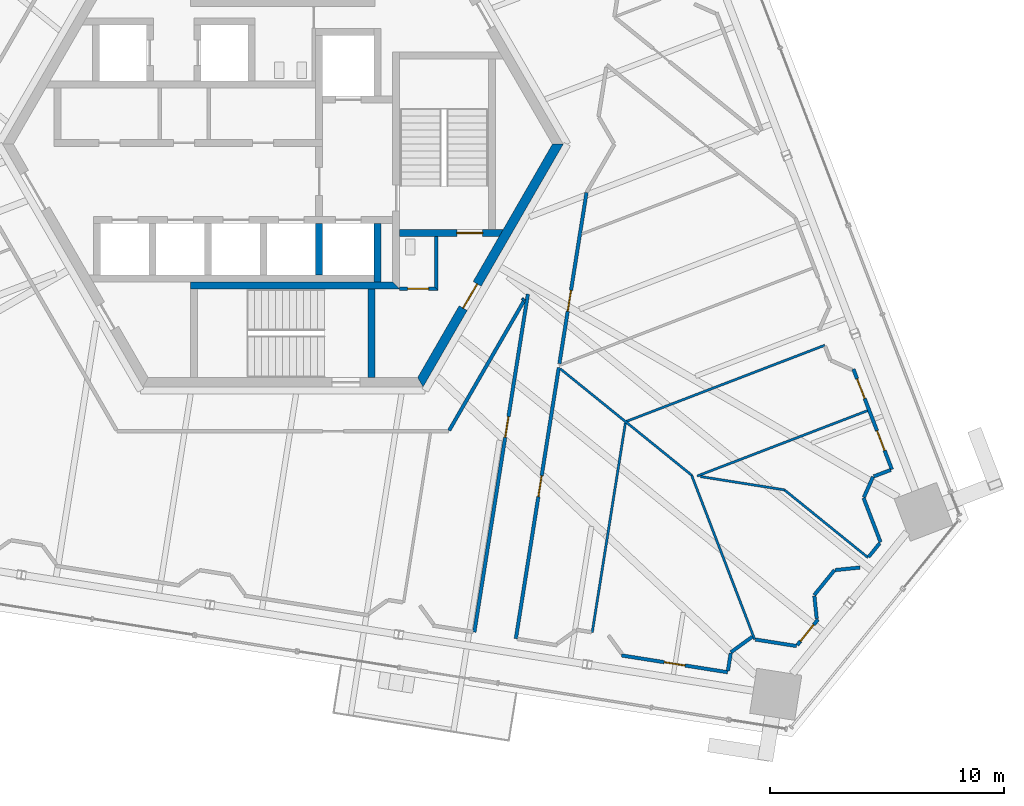
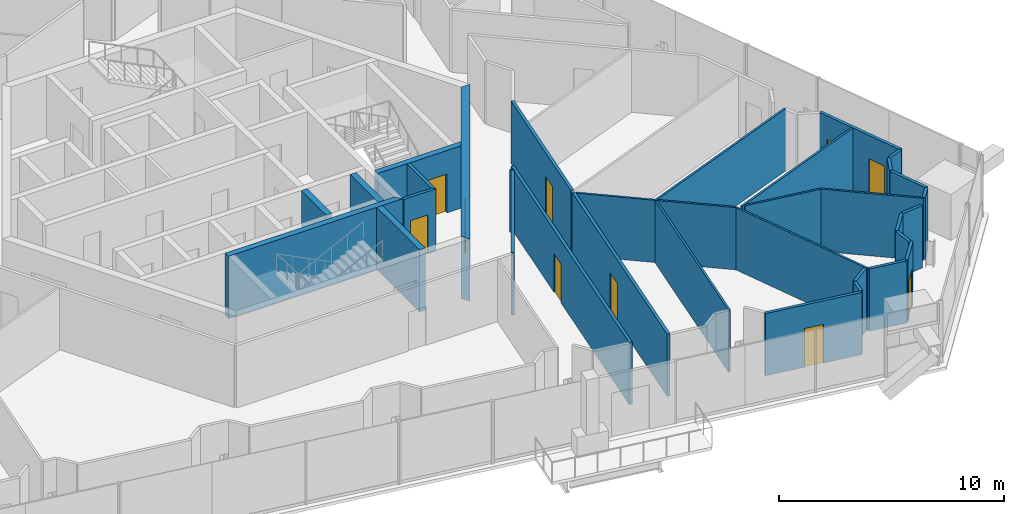
# One storey, part 15 of 23: 33 walls, 10 doors, 10 openings.
"""IFC4 building model written with IfcOpenShell, lengths in metres."""

from ifc_helpers import new_model, si_unit, direction, frame, frame_2d, origin, place, context, subcontext, project, spatial, polyline, rectangle, outline, extrude, source, transform, mapped, material, layer, layer_set, type_object, element, fill, save


model = new_model("IFC4")

# Units and contexts
model_context = context("Model", 3, precision=1e-05, world=origin(), true_north=direction((0.0, 1.0)))
body_context = subcontext(model_context, "Body", "Model", "MODEL_VIEW")
ifc_project = project(units=[si_unit("LENGTHUNIT", "METRE"), si_unit("AREAUNIT", "SQUARE_METRE"), si_unit("VOLUMEUNIT", "CUBIC_METRE"), si_unit("PLANEANGLEUNIT", "RADIAN"), si_unit("MASSUNIT", "GRAM", prefix="KILO")], contexts=[model_context])

# Site, building, storey
site_placement = place(None, origin())
site = spatial("IfcSite", under=ifc_project, at=site_placement, CompositionType="ELEMENT")
building_placement = place(site_placement, origin())
building = spatial("IfcBuilding", under=site, at=building_placement, Name="Triune Harvest Tower", CompositionType="ELEMENT")
storey_placement = place(building_placement, frame((0.0, 0.0, 171.300048828125)))
storey = spatial("IfcBuildingStorey", under=building, at=storey_placement, Name="L44", CompositionType="ELEMENT", Elevation=171.300048828125)

# Wall, opening, door
ifc_material_1 = material(Name="Concrete masonry unit", Category="masonry")
ifc_layer_1 = layer(ifc_material_1, 0.14990234375)
ifc_layer_set_1 = layer_set([ifc_layer_1], Name="Concrete masonry unit")
wall_type_1 = type_object("IfcWallType", Name="Block partition 150 unrated", PredefinedType="PARTITIONING", material=ifc_layer_set_1)
wall_1_placement = place(storey_placement, frame((5.0, -6.18994140625, 0.0), z_axis=(0.0, 0.0, 1.0), x_axis=(1.0, 0.0, 0.0)))
wall_1 = element("IfcWall", 1, at=wall_1_placement, inside=storey, type_object=wall_type_1, Name="Wc acc south wall", PredefinedType="PARTITIONING", context=body_context, shape_type="SweptSolid", body=[
    extrude(outline(polyline([(0.0, -0.074951171875), (1.64990234375, -0.074951171875), (1.5, 0.074951171875), (0.0, 0.074951171875), (0.0, -0.074951171875)])), origin(), (0.0, 0.0, 1.0), 3.375),
])
opening_1_placement = place(wall_1_placement, frame((0.33740234375, 0.0, 0.0)))
opening_1 = element("IfcOpeningElement", 2, at=opening_1_placement, cuts=wall_1, Name="Opening CD-WA", PredefinedType="OPENING", context=body_context, shape_type="SweptSolid", body=[
    extrude(rectangle(XDim=0.89990234375, YDim=2.10009765625, at=frame_2d((0.449951171875, 1.050048828125))), frame((0.0, 0.0849609375, 0.0), z_axis=(0.0, -1.0, 0.0), x_axis=(1.0, 0.0, 0.0)), (0.0, 0.0, 1.0), 0.169921875),
])
ifc_material_2 = material(Name="Timber C24", Category="wood")
door_type_1 = type_object("IfcDoorType", Name="WC door 900", OperationType="SINGLE_SWING_LEFT", PredefinedType="DOOR", material=ifc_material_2)
door_1_placement = place(opening_1_placement, origin())
door_1 = element("IfcDoor", 3, at=door_1_placement, inside=storey, type_object=door_type_1, Name="Door CD-WA", OperationType="SINGLE_SWING_LEFT", OverallHeight=2.10009765625, OverallWidth=0.89990234375, PredefinedType="DOOR", context=body_context, shape_type="SweptSolid", body=[
    extrude(rectangle(XDim=0.89990234375, YDim=2.10009765625, at=frame_2d((0.449951171875, 1.050048828125))), frame((0.0, 0.02490234375, 0.0), z_axis=(0.0, -1.0, 0.0), x_axis=(1.0, 0.0, 0.0)), (0.0, 0.0, 1.0), 0.050048828125),
])
fill(opening_1, door_1)

# Wall
wall_2_placement = place(storey_placement, frame((6.574951171875, -6.18994140625, 0.0), z_axis=(0.0, 0.0, 1.0), x_axis=(0.0, 1.0, 0.0)))
element("IfcWall", 4, at=wall_2_placement, inside=storey, type_object=wall_type_1, Name="Wc acc east wall", PredefinedType="PARTITIONING", context=body_context, shape_type="SweptSolid", body=[
    extrude(outline(polyline([(-0.074951171875, -0.074951171875), (2.239990234375, -0.074951171875), (2.239990234375, 0.074951171875), (0.074951171875, 0.074951171875), (-0.074951171875, -0.074951171875)])), origin(), (0.0, 0.0, 1.0), 3.375),
])

# Wall, opening, door
ifc_material_3 = material(Name="Concrete 70 MPa", Category="concrete")
ifc_layer_2 = layer(ifc_material_3, 0.300048828125)
ifc_layer_set_2 = layer_set([ifc_layer_2], Name="Concrete 70 MPa")
wall_type_2 = type_object("IfcWallType", Name="Core wall 300", PredefinedType="SHEAR", material=ifc_layer_set_2)
wall_3_placement = place(storey_placement, frame((5.0, -3.800048828125, 0.0), z_axis=(0.0, 0.0, 1.0), x_axis=(1.0, 0.0, 0.0)))
wall_3 = element("IfcWall", 5, at=wall_3_placement, inside=storey, type_object=wall_type_2, Name="Stair e south wall", PredefinedType="SHEAR", context=body_context, shape_type="SweptSolid", body=[
    extrude(outline(polyline([(0.0, -0.14990234375), (0.0, 0.14990234375), (4.43310546875, 0.14990234375), (4.260009765625, -0.14990234375), (0.0, -0.14990234375)])), origin(), (0.0, 0.0, 1.0), 3.375),
])
opening_2_placement = place(wall_3_placement, frame((2.449951171875, 0.0, 0.0)))
opening_2 = element("IfcOpeningElement", 6, at=opening_2_placement, cuts=wall_3, Name="Opening CD-S3D", PredefinedType="OPENING", context=body_context, shape_type="SweptSolid", body=[
    extrude(rectangle(XDim=1.10009765625, YDim=2.10009765625, at=frame_2d((0.550048828125, 1.050048828125))), frame((0.0, 0.16015625, 0.0), z_axis=(0.0, -1.0, 0.0), x_axis=(1.0, 0.0, 0.0)), (0.0, 0.0, 1.0), 0.320068359375),
])
ifc_material_4 = material(Name="Steel S235", Category="steel")
door_type_2 = type_object("IfcDoorType", Name="Stair door 1100 FD120", OperationType="SINGLE_SWING_LEFT", PredefinedType="DOOR", material=ifc_material_4)
door_2_placement = place(opening_2_placement, frame((1.10009765625, 0.0, 0.0), z_axis=(0.0, 0.0, 1.0), x_axis=(-1.0, 0.0, 0.0)))
door_2 = element("IfcDoor", 7, at=door_2_placement, inside=storey, type_object=door_type_2, Name="Door CD-S3D", OperationType="SINGLE_SWING_RIGHT", OverallHeight=2.10009765625, OverallWidth=1.10009765625, PredefinedType="DOOR", context=body_context, shape_type="SweptSolid", body=[
    extrude(rectangle(XDim=1.10009765625, YDim=2.10009765625, at=frame_2d((0.550048828125, 1.050048828125))), frame((0.0, 0.02490234375, 0.0), z_axis=(0.0, -1.0, 0.0), x_axis=(1.0, 0.0, 0.0)), (0.0, 0.0, 1.0), 0.050048828125),
])
fill(opening_2, door_2)

# Wall
wall_4_placement = place(storey_placement, frame((-3.949951171875, -6.0400390625, 0.0), z_axis=(0.0, 0.0, 1.0), x_axis=(1.0, 0.0, 0.0)))
element("IfcWall", 8, at=wall_4_placement, inside=storey, type_object=wall_type_2, Name="Stair s north wall", PredefinedType="SHEAR", context=body_context, shape_type="SweptSolid", body=[
    extrude(outline(polyline([(0.0, -0.14990234375), (8.949951171875, -0.14990234375), (8.64990234375, 0.14990234375), (0.0, 0.14990234375), (0.0, -0.14990234375)])), origin(), (0.0, 0.0, 1.0), 3.375),
])

# Wall, openings, doors
ifc_material_5 = material(Name="Gypsum board on steel studs", Category="steel")
ifc_layer_3 = layer(ifc_material_5, 0.14990234375)
ifc_layer_set_3 = layer_set([ifc_layer_3], Name="Gypsum board on steel studs")
wall_type_3 = type_object("IfcWallType", Name="Fire Partition 150 mm", PredefinedType="PARTITIONING", material=ifc_layer_set_3)
wall_5_placement = place(storey_placement, frame((24.423583984375, -9.62890625, 0.0), z_axis=(0.0, 0.0, 1.0), x_axis=(0.358349879182, -0.933587362859, 0.0)))
wall_5 = element("IfcWall", 9, at=wall_5_placement, inside=storey, type_object=wall_type_3, Name="Partition L44 023", PredefinedType="PARTITIONING", context=body_context, shape_type="SweptSolid", body=[
    extrude(rectangle(XDim=4.602783203125, YDim=0.14990234375, at=frame_2d((2.30126953125, 0.0))), origin(), (0.0, 0.0, 1.0), 3.375),
])
opening_3_placement = place(wall_5_placement, frame((0.44970703125, 0.0, 0.0)))
opening_3 = element("IfcOpeningElement", 10, at=opening_3_placement, cuts=wall_5, Name="Opening L44-001", PredefinedType="OPENING", context=body_context, shape_type="SweptSolid", body=[
    extrude(rectangle(XDim=0.89990234375, YDim=2.10009765625, at=frame_2d((0.449951171875, 1.050048828125))), frame((0.0, 0.0849609375, 0.0), z_axis=(0.0, -1.0, 0.0), x_axis=(1.0, 0.0, 0.0)), (0.0, 0.0, 1.0), 0.169921875),
])
opening_4_placement = place(wall_5_placement, frame((2.827880859375, 0.0, 0.0)))
opening_4 = element("IfcOpeningElement", 11, at=opening_4_placement, cuts=wall_5, Name="Opening L44-002", PredefinedType="OPENING", context=body_context, shape_type="SweptSolid", body=[
    extrude(rectangle(XDim=0.89990234375, YDim=2.10009765625, at=frame_2d((0.449951171875, 1.050048828125))), frame((0.0, 0.0849609375, 0.0), z_axis=(0.0, -1.0, 0.0), x_axis=(1.0, 0.0, 0.0)), (0.0, 0.0, 1.0), 0.169921875),
])
ifc_material_6 = material(Name="Timber and steel door set", Category="steel")
door_type_3 = type_object("IfcDoorType", Name="Single leaf door FD30 left hand 900 x 2100", OperationType="SINGLE_SWING_LEFT", PredefinedType="DOOR", material=ifc_material_6)
door_3_placement = place(opening_4_placement, origin())
door_3 = element("IfcDoor", 12, at=door_3_placement, inside=storey, type_object=door_type_3, Name="Door L44-002 Office 44.02", OperationType="SINGLE_SWING_LEFT", OverallHeight=2.10009765625, OverallWidth=0.89990234375, PredefinedType="DOOR", context=body_context, shape_type="SweptSolid", body=[
    extrude(rectangle(XDim=0.89990234375, YDim=2.10009765625, at=frame_2d((0.449951171875, 1.050048828125))), frame((0.0, 0.02490234375, 0.0), z_axis=(0.0, -1.0, 0.0), x_axis=(1.0, 0.0, 0.0)), (0.0, 0.0, 1.0), 0.050048828125),
])
fill(opening_4, door_3)
ifc_material_7 = material(Name="Timber and steel door set", Category="steel")
door_type_4 = type_object("IfcDoorType", Name="Single leaf door FD30 right hand 900 x 2100", OperationType="SINGLE_SWING_RIGHT", PredefinedType="DOOR", material=ifc_material_7)
door_4_placement = place(opening_3_placement, origin())
door_4 = element("IfcDoor", 13, at=door_4_placement, inside=storey, type_object=door_type_4, Name="Door L44-001 Office 44.01", OperationType="SINGLE_SWING_RIGHT", OverallHeight=2.10009765625, OverallWidth=0.89990234375, PredefinedType="DOOR", context=body_context, shape_type="SweptSolid", body=[
    extrude(rectangle(XDim=0.89990234375, YDim=2.10009765625, at=frame_2d((0.449951171875, 1.050048828125))), frame((0.0, 0.02490234375, 0.0), z_axis=(0.0, -1.0, 0.0), x_axis=(1.0, 0.0, 0.0)), (0.0, 0.0, 1.0), 0.050048828125),
])
fill(opening_3, door_4)

# Walls
wall_6_placement = place(storey_placement, frame((23.642578125, -18.235595703125, 0.0), z_axis=(0.0, 0.0, 1.0), x_axis=(0.994536563212, 0.104388813747, 0.0)))
element("IfcWall", 14, at=wall_6_placement, inside=storey, type_object=wall_type_3, Name="Partition L44 077", PredefinedType="PARTITIONING", context=body_context, shape_type="SweptSolid", body=[
    extrude(rectangle(XDim=1.073486328125, YDim=0.14990234375, at=frame_2d((0.53662109375, 0.0))), origin(), (0.0, 0.0, 1.0), 3.375),
])
wall_7_placement = place(storey_placement, frame((19.177734375, -21.755615234375, 0.0), z_axis=(0.0, 0.0, 1.0), x_axis=(0.808995006396, 0.587815514959, 0.0)))
element("IfcWall", 15, at=wall_7_placement, inside=storey, type_object=wall_type_3, Name="Partition L44 099", PredefinedType="PARTITIONING", context=body_context, shape_type="SweptSolid", body=[
    extrude(rectangle(XDim=1.141357421875, YDim=0.14990234375, at=frame_2d((0.57080078125, 0.0))), origin(), (0.0, 0.0, 1.0), 3.375),
])

# Wall, opening, door
wall_8_placement = place(storey_placement, frame((22.018798828125, -21.447021484375, 0.0), z_axis=(0.0, 0.0, 1.0), x_axis=(0.629321981855, 0.777144673245, 0.0)))
wall_8 = element("IfcWall", 16, at=wall_8_placement, inside=storey, type_object=wall_type_3, Name="Partition L44 106", PredefinedType="PARTITIONING", context=body_context, shape_type="SweptSolid", body=[
    extrude(rectangle(XDim=1.418701171875, YDim=0.14990234375, at=frame_2d((0.70947265625, 0.0))), origin(), (0.0, 0.0, 1.0), 3.375),
])
opening_5_placement = place(wall_8_placement, frame((0.218994140625, 0.0, 0.0)))
opening_5 = element("IfcOpeningElement", 17, at=opening_5_placement, cuts=wall_8, Name="Opening L44-029", PredefinedType="OPENING", context=body_context, shape_type="SweptSolid", body=[
    extrude(rectangle(XDim=0.89990234375, YDim=2.10009765625, at=frame_2d((0.449951171875, 1.050048828125))), frame((0.0, 0.0849609375, 0.0), z_axis=(0.0, -1.0, 0.0), x_axis=(1.0, 0.0, 0.0)), (0.0, 0.0, 1.0), 0.169921875),
])
door_5_placement = place(opening_5_placement, origin())
door_5 = element("IfcDoor", 18, at=door_5_placement, inside=storey, type_object=door_type_3, Name="Door L44-029 Open Office 44.29", OperationType="SINGLE_SWING_LEFT", OverallHeight=2.10009765625, OverallWidth=0.89990234375, PredefinedType="DOOR", context=body_context, shape_type="SweptSolid", body=[
    extrude(rectangle(XDim=0.89990234375, YDim=2.10009765625, at=frame_2d((0.449951171875, 1.050048828125))), frame((0.0, 0.02490234375, 0.0), z_axis=(0.0, -1.0, 0.0), x_axis=(1.0, 0.0, 0.0)), (0.0, 0.0, 1.0), 0.050048828125),
])
fill(opening_5, door_5)

# Walls
wall_9_placement = place(storey_placement, frame((25.072998046875, -17.67578125, 0.0), z_axis=(0.0, 0.0, 1.0), x_axis=(0.62929884709, 0.777163406917, 0.0)))
element("IfcWall", 19, at=wall_9_placement, inside=storey, type_object=wall_type_3, Name="Partition L44 107", PredefinedType="PARTITIONING", context=body_context, shape_type="SweptSolid", body=[
    extrude(rectangle(XDim=0.767822265625, YDim=0.14990234375, at=frame_2d((0.3837890625, 0.0))), origin(), (0.0, 0.0, 1.0), 3.375),
])
wall_10_placement = place(storey_placement, frame((7.116943359375, -12.2578125, 0.0), z_axis=(0.0, 0.0, 1.0), x_axis=(0.499975936691, 0.866039296297, 0.0)))
element("IfcWall", 20, at=wall_10_placement, inside=storey, type_object=wall_type_3, Name="Partition L44 123", PredefinedType="PARTITIONING", context=body_context, shape_type="SweptSolid", body=[
    extrude(rectangle(XDim=6.391845703125, YDim=0.14990234375, at=frame_2d((3.19580078125, 0.0))), origin(), (0.0, 0.0, 1.0), 3.375),
])

# Wall, opening, door
wall_11_placement = place(storey_placement, frame((9.973388671875, -21.17138671875, 0.0), z_axis=(0.0, 0.0, 1.0), x_axis=(0.156435031143, 0.987688250933, 0.0)))
wall_11 = element("IfcWall", 21, at=wall_11_placement, inside=storey, type_object=wall_type_3, Name="Partition L44 134", PredefinedType="PARTITIONING", context=body_context, shape_type="SweptSolid", body=[
    extrude(rectangle(XDim=11.7548828125, YDim=0.14990234375, at=frame_2d((5.87744140625, 0.0))), origin(), (0.0, 0.0, 1.0), 3.375),
])
opening_6_placement = place(wall_11_placement, frame((6.159423828125, 0.0, 0.0)))
opening_6 = element("IfcOpeningElement", 22, at=opening_6_placement, cuts=wall_11, Name="Opening L44-027", PredefinedType="OPENING", context=body_context, shape_type="SweptSolid", body=[
    extrude(rectangle(XDim=0.89990234375, YDim=2.10009765625, at=frame_2d((0.449951171875, 1.050048828125))), frame((0.0, 0.0849609375, 0.0), z_axis=(0.0, -1.0, 0.0), x_axis=(1.0, 0.0, 0.0)), (0.0, 0.0, 1.0), 0.169921875),
])
door_6_placement = place(opening_6_placement, origin())
door_6 = element("IfcDoor", 23, at=door_6_placement, inside=storey, type_object=door_type_3, Name="Door L44-027 Meeting Room 44.27", OperationType="SINGLE_SWING_LEFT", OverallHeight=2.10009765625, OverallWidth=0.89990234375, PredefinedType="DOOR", context=body_context, shape_type="SweptSolid", body=[
    extrude(rectangle(XDim=0.89990234375, YDim=2.10009765625, at=frame_2d((0.449951171875, 1.050048828125))), frame((0.0, 0.02490234375, 0.0), z_axis=(0.0, -1.0, 0.0), x_axis=(1.0, 0.0, 0.0)), (0.0, 0.0, 1.0), 0.050048828125),
])
fill(opening_6, door_6)

wall_12_placement = place(storey_placement, frame((11.83837890625, -9.395263671875, 0.0), z_axis=(0.0, 0.0, 1.0), x_axis=(0.15643928299, 0.987687577495, 0.0)))
wall_12 = element("IfcWall", 24, at=wall_12_placement, inside=storey, type_object=wall_type_3, Name="Partition L44 135", PredefinedType="PARTITIONING", context=body_context, shape_type="SweptSolid", body=[
    extrude(rectangle(XDim=7.416015625, YDim=0.14990234375, at=frame_2d((3.7080078125, 0.0))), origin(), (0.0, 0.0, 1.0), 3.375),
])
opening_7_placement = place(wall_12_placement, frame((2.2734375, 0.0, 0.0)))
opening_7 = element("IfcOpeningElement", 25, at=opening_7_placement, cuts=wall_12, Name="Opening L44-003", PredefinedType="OPENING", context=body_context, shape_type="SweptSolid", body=[
    extrude(rectangle(XDim=0.89990234375, YDim=2.10009765625, at=frame_2d((0.449951171875, 1.050048828125))), frame((0.0, 0.0849609375, 0.0), z_axis=(0.0, -1.0, 0.0), x_axis=(1.0, 0.0, 0.0)), (0.0, 0.0, 1.0), 0.169921875),
])
door_7_placement = place(opening_7_placement, origin())
door_7 = element("IfcDoor", 26, at=door_7_placement, inside=storey, type_object=door_type_4, Name="Door L44-003 Project Room 44.03", OperationType="SINGLE_SWING_RIGHT", OverallHeight=2.10009765625, OverallWidth=0.89990234375, PredefinedType="DOOR", context=body_context, shape_type="SweptSolid", body=[
    extrude(rectangle(XDim=0.89990234375, YDim=2.10009765625, at=frame_2d((0.449951171875, 1.050048828125))), frame((0.0, 0.02490234375, 0.0), z_axis=(0.0, -1.0, 0.0), x_axis=(1.0, 0.0, 0.0)), (0.0, 0.0, 1.0), 0.050048828125),
])
fill(opening_7, door_7)

wall_13_placement = place(storey_placement, frame((8.19580078125, -20.889892578125, 0.0), z_axis=(0.0, 0.0, 1.0), x_axis=(0.156426409619, 0.987689616415, 0.0)))
wall_13 = element("IfcWall", 27, at=wall_13_placement, inside=storey, type_object=wall_type_3, Name="Partition L44 138", PredefinedType="PARTITIONING", context=body_context, shape_type="SweptSolid", body=[
    extrude(rectangle(XDim=14.649169921875, YDim=0.14990234375, at=frame_2d((7.32470703125, 0.0))), origin(), (0.0, 0.0, 1.0), 3.375),
])
opening_8_placement = place(wall_13_placement, frame((8.4404296875, 0.0, 0.0)))
opening_8 = element("IfcOpeningElement", 28, at=opening_8_placement, cuts=wall_13, Name="Opening L44-026", PredefinedType="OPENING", context=body_context, shape_type="SweptSolid", body=[
    extrude(rectangle(XDim=0.89990234375, YDim=2.10009765625, at=frame_2d((0.449951171875, 1.050048828125))), frame((0.0, 0.0849609375, 0.0), z_axis=(0.0, -1.0, 0.0), x_axis=(1.0, 0.0, 0.0)), (0.0, 0.0, 1.0), 0.169921875),
])
door_8_placement = place(opening_8_placement, origin())
door_8 = element("IfcDoor", 29, at=door_8_placement, inside=storey, type_object=door_type_4, Name="Door L44-026 Office 44.26", OperationType="SINGLE_SWING_RIGHT", OverallHeight=2.10009765625, OverallWidth=0.89990234375, PredefinedType="DOOR", context=body_context, shape_type="SweptSolid", body=[
    extrude(rectangle(XDim=0.89990234375, YDim=2.10009765625, at=frame_2d((0.449951171875, 1.050048828125))), frame((0.0, 0.02490234375, 0.0), z_axis=(0.0, -1.0, 0.0), x_axis=(1.0, 0.0, 0.0)), (0.0, 0.0, 1.0), 0.050048828125),
])
fill(opening_8, door_8)

# Walls
wall_14_placement = place(storey_placement, frame((10.32958984375, -6.615234375, 0.0), z_axis=(0.0, 0.0, 1.0), x_axis=(-0.629270346667, -0.777186483931, 0.0)))
element("IfcWall", 30, at=wall_14_placement, inside=storey, type_object=wall_type_3, Name="Partition L44 145", PredefinedType="PARTITIONING", context=body_context, shape_type="SweptSolid", body=[
    extrude(rectangle(XDim=0.097412109375, YDim=0.14990234375, at=frame_2d((0.048828125, 0.0))), origin(), (0.0, 0.0, 1.0), 3.375),
])
ifc_material_8 = material(Name="Gypsum board on steel studs", Category="steel")
ifc_layer_4 = layer(ifc_material_8, 0.10009765625)
ifc_layer_set_4 = layer_set([ifc_layer_4], Name="Gypsum board on steel studs")
wall_type_4 = type_object("IfcWallType", Name="Partition 100 mm", PredefinedType="PARTITIONING", material=ifc_layer_set_4)
wall_15_placement = place(storey_placement, frame((17.49853515625, -14.170166015625, 0.0), z_axis=(0.0, 0.0, 1.0), x_axis=(0.358362200237, -0.93358263343, 0.0)))
element("IfcWall", 31, at=wall_15_placement, inside=storey, type_object=wall_type_4, Name="Partition L44 011", PredefinedType="PARTITIONING", context=body_context, shape_type="SweptSolid", body=[
    extrude(rectangle(XDim=7.53271484375, YDim=0.10009765625, at=frame_2d((3.766357421875, 0.0))), origin(), (0.0, 0.0, 1.0), 3.375),
])
wall_16_placement = place(storey_placement, frame((11.881591796875, -9.621337890625, 0.0), z_axis=(0.0, 0.0, 1.0), x_axis=(0.777137884009, -0.629330365736, 0.0)))
element("IfcWall", 32, at=wall_16_placement, inside=storey, type_object=wall_type_4, Name="Partition L44 038", PredefinedType="PARTITIONING", context=body_context, shape_type="SweptSolid", body=[
    extrude(rectangle(XDim=7.22802734375, YDim=0.10009765625, at=frame_2d((3.614013671875, 0.0))), origin(), (0.0, 0.0, 1.0), 3.375),
])
wall_17_placement = place(storey_placement, frame((17.8837890625, -14.23095703125, 0.0), z_axis=(0.0, 0.0, 1.0), x_axis=(0.987688692759, -0.156432241547, 0.0)))
element("IfcWall", 33, at=wall_17_placement, inside=storey, type_object=wall_type_4, Name="Partition L44 070", PredefinedType="PARTITIONING", context=body_context, shape_type="SweptSolid", body=[
    extrude(rectangle(XDim=3.630126953125, YDim=0.10009765625, at=frame_2d((1.81494140625, 0.0))), origin(), (0.0, 0.0, 1.0), 3.375),
])
wall_18_placement = place(storey_placement, frame((14.690673828125, -11.8740234375, 0.0), z_axis=(0.0, 0.0, 1.0), x_axis=(0.933580921869, 0.358366659055, 0.0)))
element("IfcWall", 34, at=wall_18_placement, inside=storey, type_object=wall_type_4, Name="Partition L44 085", PredefinedType="PARTITIONING", context=body_context, shape_type="SweptSolid", body=[
    extrude(rectangle(XDim=9.110595703125, YDim=0.10009765625, at=frame_2d((4.55517578125, 0.0))), origin(), (0.0, 0.0, 1.0), 3.375),
])
wall_19_placement = place(storey_placement, frame((13.24365234375, -20.8994140625, 0.0), z_axis=(0.0, 0.0, 1.0), x_axis=(0.156445867872, 0.987686534496, 0.0)))
element("IfcWall", 35, at=wall_19_placement, inside=storey, type_object=wall_type_4, Name="Partition L44 133", PredefinedType="PARTITIONING", context=body_context, shape_type="SweptSolid", body=[
    extrude(rectangle(XDim=9.130859375, YDim=0.10009765625, at=frame_2d((4.5654296875, 0.0))), origin(), (0.0, 0.0, 1.0), 3.375),
])

# Wall, opening, door
ifc_material_9 = material(Name="Concrete 70 MPa", Category="concrete")
ifc_layer_5 = layer(ifc_material_9, 0.39990234375)
ifc_layer_set_5 = layer_set([ifc_layer_5], Name="Concrete 70 MPa")
wall_type_5 = type_object("IfcWallType", Name="Core wall 400", PredefinedType="SHEAR", material=ifc_layer_set_5)
shared_shape_1 = source(origin(), body_context, "Body", "SweptSolid", [
    extrude(outline(polyline([(-0.115478515625, -0.199951171875), (11.884521484375, -0.199951171875), (11.653564453125, 0.199951171875), (0.115478515625, 0.199951171875), (-0.115478515625, -0.199951171875)])), origin(), (0.0, 0.0, 1.0), 3.375),
])
wall_20_placement = place(storey_placement, frame((5.884521484375, -10.1923828125, 0.0), z_axis=(0.0, 0.0, 1.0), x_axis=(0.499996592174, 0.866027371285, 0.0)))
wall_20 = element("IfcWall", 36, at=wall_20_placement, inside=storey, type_object=wall_type_5, Name="Hexagon 5 wall", PredefinedType="SHEAR", context=body_context, shape_type="MappedRepresentation", body=[
    mapped(shared_shape_1, transform((0.0, 0.0, 0.0), scale=1.0)),
])
opening_9_placement = place(wall_20_placement, frame((3.66455078125, 0.0, 0.0)))
opening_9 = element("IfcOpeningElement", 37, at=opening_9_placement, cuts=wall_20, Name="Opening CD-DP", PredefinedType="OPENING", context=body_context, shape_type="SweptSolid", body=[
    extrude(rectangle(XDim=1.199951171875, YDim=2.10009765625, at=frame_2d((0.60009765625, 1.050048828125))), frame((0.0, 0.2099609375, 0.0), z_axis=(0.0, -1.0, 0.0), x_axis=(1.0, 0.0, 0.0)), (0.0, 0.0, 1.0), 0.419921875),
])
ifc_material_10 = material(Name="Steel S235", Category="steel")
door_type_5 = type_object("IfcDoorType", Name="Stair door 1200 FD120", OperationType="SINGLE_SWING_LEFT", PredefinedType="DOOR", material=ifc_material_10)
door_9_placement = place(opening_9_placement, frame((1.199951171875, 0.0, 0.0), z_axis=(0.0, 0.0, 1.0), x_axis=(-1.0, 0.0, 0.0)))
door_9 = element("IfcDoor", 38, at=door_9_placement, inside=storey, type_object=door_type_5, Name="Door CD-DP", OperationType="SINGLE_SWING_RIGHT", OverallHeight=2.10009765625, OverallWidth=1.199951171875, PredefinedType="DOOR", context=body_context, shape_type="SweptSolid", body=[
    extrude(rectangle(XDim=1.199951171875, YDim=2.10009765625, at=frame_2d((0.60009765625, 1.050048828125))), frame((0.0, 0.02490234375, 0.0), z_axis=(0.0, -1.0, 0.0), x_axis=(1.0, 0.0, 0.0)), (0.0, 0.0, 1.0), 0.050048828125),
])
fill(opening_9, door_9)

# Walls
shared_shape_2 = source(origin(), body_context, "Body", "SweptSolid", [
    extrude(rectangle(XDim=2.5, YDim=0.300048828125, at=frame_2d((1.25, 0.0))), origin(), (0.0, 0.0, 1.0), 3.375),
])
wall_21_placement = place(storey_placement, frame((4.050048828125, -5.889892578125, 0.0), z_axis=(0.0, 0.0, 1.0), x_axis=(0.0, 1.0, 0.0)))
element("IfcWall", 39, at=wall_21_placement, inside=storey, type_object=wall_type_2, Name="Ff2 east wall", PredefinedType="SHEAR", context=body_context, shape_type="MappedRepresentation", body=[
    mapped(shared_shape_2, transform((0.0, 0.0, 0.0), scale=1.0)),
])
shared_shape_3 = source(origin(), body_context, "Body", "SweptSolid", [
    extrude(rectangle(XDim=2.2001953125, YDim=0.300048828125, at=frame_2d((1.10009765625, 0.0))), origin(), (0.0, 0.0, 1.0), 3.375),
])
wall_22_placement = place(storey_placement, frame((1.550048828125, -5.590087890625, 0.0), z_axis=(0.0, 0.0, 1.0), x_axis=(0.0, 1.0, 0.0)))
element("IfcWall", 40, at=wall_22_placement, inside=storey, type_object=wall_type_2, Name="Ff2 west wall", PredefinedType="SHEAR", context=body_context, shape_type="MappedRepresentation", body=[
    mapped(shared_shape_3, transform((0.0, 0.0, 0.0), scale=1.0)),
])
shared_shape_4 = source(origin(), body_context, "Body", "SweptSolid", [
    extrude(outline(polyline([(3.800048828125, -0.14990234375), (-0.00439453125, -0.14990234375), (-0.00439453125, 0.14990234375), (3.800048828125, 0.14990234375), (3.800048828125, -0.14990234375)])), origin(), (0.0, 0.0, 1.0), 3.375),
])
wall_23_placement = place(storey_placement, frame((3.800048828125, -9.989990234375, 0.0), z_axis=(0.0, 0.0, 1.0), x_axis=(0.0, 1.0, 0.0)))
element("IfcWall", 41, at=wall_23_placement, inside=storey, type_object=wall_type_2, Name="Stair s east wall", PredefinedType="SHEAR", context=body_context, shape_type="MappedRepresentation", body=[
    mapped(shared_shape_4, transform((0.0, 0.0, 0.0), scale=1.0)),
])
shared_shape_5 = source(origin(), body_context, "Body", "SweptSolid", [
    extrude(rectangle(XDim=0.9833984375, YDim=0.14990234375, at=frame_2d((0.49169921875, 0.0))), origin(), (0.0, 0.0, 1.0), 3.375),
])
wall_24_placement = place(storey_placement, frame((22.752685546875, -19.334716796875, 0.0), z_axis=(0.0, 0.0, 1.0), x_axis=(0.104516783509, -0.994523122891, 0.0)))
element("IfcWall", 42, at=wall_24_placement, inside=storey, type_object=wall_type_3, Name="Partition L44 006", PredefinedType="PARTITIONING", context=body_context, shape_type="MappedRepresentation", body=[
    mapped(shared_shape_5, transform((0.0, 0.0, 0.0), scale=1.0)),
])
shared_shape_6 = source(origin(), body_context, "Body", "SweptSolid", [
    extrude(rectangle(XDim=1.37158203125, YDim=0.14990234375, at=frame_2d((0.685791015625, 0.0))), origin(), (0.0, 0.0, 1.0), 3.375),
])
wall_25_placement = place(storey_placement, frame((22.74951171875, -19.3046875, 0.0), z_axis=(0.0, 0.0, 1.0), x_axis=(0.629372301641, 0.777103922218, 0.0)))
element("IfcWall", 43, at=wall_25_placement, inside=storey, type_object=wall_type_3, Name="Partition L44 108", PredefinedType="PARTITIONING", context=body_context, shape_type="MappedRepresentation", body=[
    mapped(shared_shape_6, transform((0.0, 0.0, 0.0), scale=1.0)),
])
shared_shape_7 = source(origin(), body_context, "Body", "SweptSolid", [
    extrude(rectangle(XDim=2.026611328125, YDim=0.14990234375, at=frame_2d((1.01318359375, 0.0))), origin(), (0.0, 0.0, 1.0), 3.375),
])
wall_26_placement = place(storey_placement, frame((24.861572265625, -15.1474609375, 0.0), z_axis=(0.0, 0.0, 1.0), x_axis=(0.358373590551, -0.933578261099, 0.0)))
element("IfcWall", 44, at=wall_26_placement, inside=storey, type_object=wall_type_3, Name="Partition L44 013", PredefinedType="PARTITIONING", context=body_context, shape_type="MappedRepresentation", body=[
    mapped(shared_shape_7, transform((0.0, 0.0, 0.0), scale=1.0)),
])

# Wall, opening, door
shared_shape_8 = source(origin(), body_context, "Body", "SweptSolid", [
    extrude(rectangle(XDim=4.603271484375, YDim=0.14990234375, at=frame_2d((2.3017578125, 0.0))), origin(), (0.0, 0.0, 1.0), 3.375),
])
wall_27_placement = place(storey_placement, frame((14.49658203125, -21.8876953125, 0.0), z_axis=(0.0, 0.0, 1.0), x_axis=(0.987685008761, -0.156455499965, 0.0)))
wall_27 = element("IfcWall", 45, at=wall_27_placement, inside=storey, type_object=wall_type_3, Name="Partition L44 061", PredefinedType="PARTITIONING", context=body_context, shape_type="MappedRepresentation", body=[
    mapped(shared_shape_8, transform((0.0, 0.0, 0.0), scale=1.0)),
])
opening_10_placement = place(wall_27_placement, frame((1.85302734375, 0.0, 0.0)))
opening_10 = element("IfcOpeningElement", 46, at=opening_10_placement, cuts=wall_27, Name="Opening L44-028", PredefinedType="OPENING", context=body_context, shape_type="SweptSolid", body=[
    extrude(rectangle(XDim=0.89990234375, YDim=2.10009765625, at=frame_2d((0.449951171875, 1.050048828125))), frame((0.0, 0.0849609375, 0.0), z_axis=(0.0, -1.0, 0.0), x_axis=(1.0, 0.0, 0.0)), (0.0, 0.0, 1.0), 0.169921875),
])
door_10_placement = place(opening_10_placement, origin())
door_10 = element("IfcDoor", 47, at=door_10_placement, inside=storey, type_object=door_type_4, Name="Door L44-028 Project Room 44.28", OperationType="SINGLE_SWING_RIGHT", OverallHeight=2.10009765625, OverallWidth=0.89990234375, PredefinedType="DOOR", context=body_context, shape_type="SweptSolid", body=[
    extrude(rectangle(XDim=0.89990234375, YDim=2.10009765625, at=frame_2d((0.449951171875, 1.050048828125))), frame((0.0, 0.02490234375, 0.0), z_axis=(0.0, -1.0, 0.0), x_axis=(1.0, 0.0, 0.0)), (0.0, 0.0, 1.0), 0.050048828125),
])
fill(opening_10, door_10)

# Walls
shared_shape_9 = source(origin(), body_context, "Body", "SweptSolid", [
    extrude(rectangle(XDim=0.782958984375, YDim=0.14990234375, at=frame_2d((0.3916015625, 0.0))), origin(), (0.0, 0.0, 1.0), 3.375),
])
wall_28_placement = place(storey_placement, frame((25.29541015625, -14.224609375, 0.0), z_axis=(0.0, 0.0, 1.0), x_axis=(0.933610565316, 0.358289425367, 0.0)))
element("IfcWall", 48, at=wall_28_placement, inside=storey, type_object=wall_type_3, Name="Partition L44 083", PredefinedType="PARTITIONING", context=body_context, shape_type="MappedRepresentation", body=[
    mapped(shared_shape_9, transform((0.0, 0.0, 0.0), scale=1.0)),
])
shared_shape_10 = source(origin(), body_context, "Body", "SweptSolid", [
    extrude(rectangle(XDim=4.61083984375, YDim=0.10009765625, at=frame_2d((2.305419921875, 0.0))), origin(), (0.0, 0.0, 1.0), 3.375),
])
wall_29_placement = place(storey_placement, frame((21.46923828125, -14.799072265625, 0.0), z_axis=(0.0, 0.0, 1.0), x_axis=(0.777151147358, -0.629313986942, 0.0)))
element("IfcWall", 49, at=wall_29_placement, inside=storey, type_object=wall_type_4, Name="Partition L44 039", PredefinedType="PARTITIONING", context=body_context, shape_type="MappedRepresentation", body=[
    mapped(shared_shape_10, transform((0.0, 0.0, 0.0), scale=1.0)),
])
shared_shape_11 = source(origin(), body_context, "Body", "SweptSolid", [
    extrude(rectangle(XDim=0.772705078125, YDim=0.14990234375, at=frame_2d((0.38623046875, 0.0))), origin(), (0.0, 0.0, 1.0), 3.375),
])
wall_30_placement = place(storey_placement, frame((19.05224609375, -22.548583984375, 0.0), z_axis=(0.0, 0.0, 1.0), x_axis=(0.156400633619, 0.987693698372, 0.0)))
element("IfcWall", 50, at=wall_30_placement, inside=storey, type_object=wall_type_3, Name="Partition L44 132", PredefinedType="PARTITIONING", context=body_context, shape_type="MappedRepresentation", body=[
    mapped(shared_shape_11, transform((0.0, 0.0, 0.0), scale=1.0)),
])
shared_shape_12 = source(origin(), body_context, "Body", "SweptSolid", [
    extrude(rectangle(XDim=0.96826171875, YDim=0.14990234375, at=frame_2d((0.484130859375, 0.0))), origin(), (0.0, 0.0, 1.0), 3.375),
])
wall_31_placement = place(storey_placement, frame((24.873779296875, -15.1201171875, 0.0), z_axis=(0.0, 0.0, 1.0), x_axis=(0.406723274539, 0.913551409581, 0.0)))
element("IfcWall", 51, at=wall_31_placement, inside=storey, type_object=wall_type_3, Name="Partition L44 127", PredefinedType="PARTITIONING", context=body_context, shape_type="MappedRepresentation", body=[
    mapped(shared_shape_12, transform((0.0, 0.0, 0.0), scale=1.0)),
])
shared_shape_13 = source(origin(), body_context, "Body", "SweptSolid", [
    extrude(rectangle(XDim=1.781494140625, YDim=0.14990234375, at=frame_2d((0.890625, 0.0))), origin(), (0.0, 0.0, 1.0), 3.375),
])
wall_32_placement = place(storey_placement, frame((20.228271484375, -21.20654296875, 0.0), z_axis=(0.0, 0.0, 1.0), x_axis=(0.987698431817, -0.156370738269, 0.0)))
element("IfcWall", 52, at=wall_32_placement, inside=storey, type_object=wall_type_3, Name="Partition L44 068", PredefinedType="PARTITIONING", context=body_context, shape_type="MappedRepresentation", body=[
    mapped(shared_shape_13, transform((0.0, 0.0, 0.0), scale=1.0)),
])
shared_shape_14 = source(origin(), body_context, "Body", "SweptSolid", [
    extrude(rectangle(XDim=7.884521484375, YDim=0.10009765625, at=frame_2d((3.9423828125, 0.0))), origin(), (0.0, 0.0, 1.0), 3.375),
])
wall_33_placement = place(storey_placement, frame((17.73583984375, -14.207763671875, 0.0), z_axis=(0.0, 0.0, 1.0), x_axis=(0.9335752534, 0.358381425634, 0.0)))
element("IfcWall", 53, at=wall_33_placement, inside=storey, type_object=wall_type_4, Name="Partition L44 084", PredefinedType="PARTITIONING", context=body_context, shape_type="MappedRepresentation", body=[
    mapped(shared_shape_14, transform((0.0, 0.0, 0.0), scale=1.0)),
])

save(model, "model.ifc")
